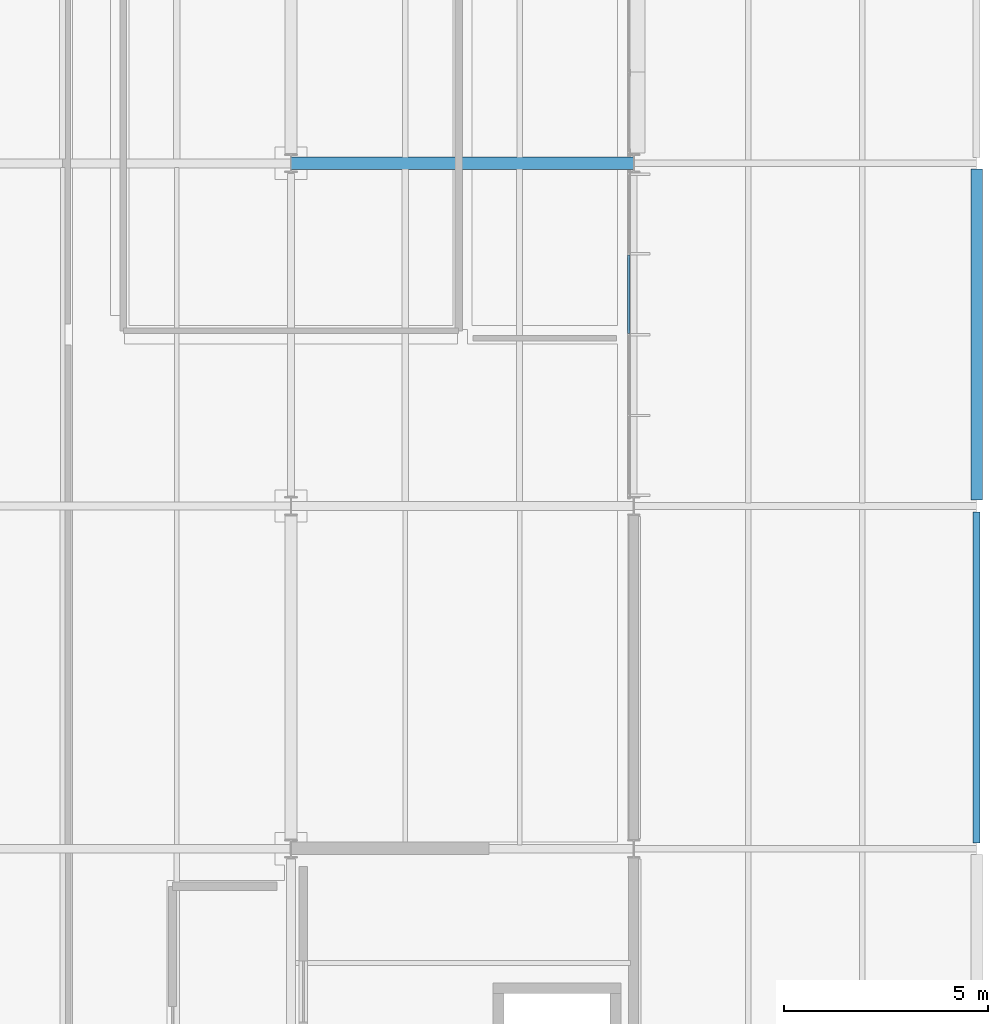
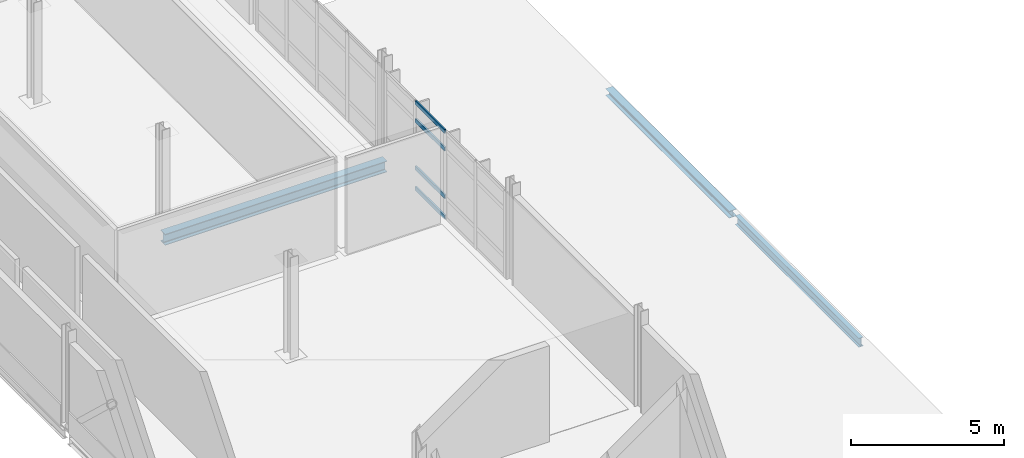
# One storey, part 96 of 151: 4 members, 3 beams, 1 element without a shape of its own.
"""IFC4 building model written with IfcOpenShell, lengths in metres."""

from ifc_helpers import new_model, si_unit, direction, frame, origin, origin_2d, place, context, subcontext, project, spatial, hollow_rectangle, i_section, extrude, material, material_profile, profile_set, type_object, element, aggregate, save


model = new_model("IFC4")

# Units and contexts
model_context = context("Model", 3, precision=1e-05, world=origin(), true_north=direction((0.0, 1.0)))
body_context = subcontext(model_context, "Body", "Model", "MODEL_VIEW")
ifc_project = project(units=[si_unit("LENGTHUNIT", "METRE"), si_unit("AREAUNIT", "SQUARE_METRE"), si_unit("VOLUMEUNIT", "CUBIC_METRE"), si_unit("PLANEANGLEUNIT", "RADIAN"), si_unit("MASSUNIT", "GRAM", prefix="KILO")], contexts=[model_context])

# Site, building, storey
site_placement = place(None, origin())
site = spatial("IfcSite", under=ifc_project, at=site_placement, CompositionType="ELEMENT")
building_placement = place(site_placement, origin())
building = spatial("IfcBuilding", under=site, at=building_placement, Name="Mersafa Astral City Hall", CompositionType="ELEMENT")
storey_placement = place(building_placement, frame((0.0, 0.0, 9.89990234375)))
storey = spatial("IfcBuildingStorey", under=building, at=storey_placement, Name="L02", CompositionType="ELEMENT", Elevation=9.89990234375)

# Curtain wall, members
ifc_material_1 = material(Name="Anodised bronze aluminium framing", Category="aluminium")
curtain_wall_type = type_object("IfcCurtainWallType", Name="ENV-CW-5", PredefinedType="USERDEFINED", material=ifc_material_1)
curtain_wall_placement = place(storey_placement, origin())
curtain_wall = element("IfcCurtainWall", 1, at=curtain_wall_placement, inside=storey, type_object=curtain_wall_type, Name="L02 Unitised solar curtain wall 124", ObjectType="UNITISED CURTAIN WALL", PredefinedType="USERDEFINED")
ifc_material_profile_1 = material_profile(ifc_material_1, hollow_rectangle(XDim=0.06005859375, YDim=0.159912109375, WallThickness=0.00390625, at=origin_2d()), Name="RHS 60x160x4")
ifc_profile_set_1 = profile_set([ifc_material_profile_1], Name="Anodised bronze aluminium framing")
member_type = type_object("IfcMemberType", Name="ENV-CW-TRN-2", PredefinedType="USERDEFINED", material=ifc_profile_set_1)
member_1_placement = place(storey_placement, frame((176.280029296875, 79.830078125, 0.028076171875), z_axis=(0.0, 1.0, 0.0), x_axis=(-1.0, 0.0, 0.0)))
member_1 = element("IfcMember", 2, at=member_1_placement, type_object=member_type, Name="CW-5 transom 3.1", ObjectType="TRANSOM", PredefinedType="USERDEFINED", context=body_context, shape_type="SweptSolid", body=[
    extrude(hollow_rectangle(XDim=0.06005859375, YDim=0.159912109375, WallThickness=0.00390625, at=origin_2d()), origin(), (0.0, 0.0, 1.0), 1.92138671875),
])
member_2_placement = place(storey_placement, frame((176.280029296875, 79.830078125, 0.85009765625), z_axis=(0.0, 1.0, 0.0), x_axis=(-1.0, 0.0, 0.0)))
member_2 = element("IfcMember", 3, at=member_2_placement, type_object=member_type, Name="CW-5 transom 3.2", ObjectType="TRANSOM", PredefinedType="USERDEFINED", context=body_context, shape_type="SweptSolid", body=[
    extrude(hollow_rectangle(XDim=0.06005859375, YDim=0.159912109375, WallThickness=0.00390625, at=origin_2d()), origin(), (0.0, 0.0, 1.0), 1.92138671875),
])
member_3_placement = place(storey_placement, frame((176.280029296875, 79.830078125, 2.75), z_axis=(0.0, 1.0, 0.0), x_axis=(-1.0, 0.0, 0.0)))
member_3 = element("IfcMember", 4, at=member_3_placement, type_object=member_type, Name="CW-5 transom 3.3", ObjectType="TRANSOM", PredefinedType="USERDEFINED", context=body_context, shape_type="SweptSolid", body=[
    extrude(hollow_rectangle(XDim=0.06005859375, YDim=0.159912109375, WallThickness=0.00390625, at=origin_2d()), origin(), (0.0, 0.0, 1.0), 1.92138671875),
])
member_4_placement = place(storey_placement, frame((176.280029296875, 79.830078125, 3.45703125), z_axis=(0.0, 1.0, 0.0), x_axis=(-1.0, 0.0, 0.0)))
member_4 = element("IfcMember", 5, at=member_4_placement, type_object=member_type, Name="CW-5 transom 3.4", ObjectType="TRANSOM", PredefinedType="USERDEFINED", context=body_context, shape_type="SweptSolid", body=[
    extrude(hollow_rectangle(XDim=0.06005859375, YDim=0.159912109375, WallThickness=0.00390625, at=origin_2d()), origin(), (0.0, 0.0, 1.0), 1.92138671875),
])
aggregate(curtain_wall, [member_1, member_2, member_3, member_4])

# Beams
ifc_material_2 = material(Name="Steel S355", Category="steel")
ifc_material_profile_2 = material_profile(ifc_material_2, i_section(OverallWidth=0.300048828125, OverallDepth=0.43994140625, WebThickness=0.011474609375, FlangeThickness=0.02099609375, FilletRadius=0.027099609375, at=origin_2d()), Name="HEA 450")
ifc_profile_set_2 = profile_set([ifc_material_profile_2], Name="Steel S355")
beam_type_1 = type_object("IfcBeamType", Name="STR-BM-HEA450", PredefinedType="BEAM", material=ifc_profile_set_2)
beam_1_placement = place(storey_placement, frame((168.0029296875, 84.0, -0.419921875), z_axis=(1.0, 0.0, 0.0), x_axis=(0.0, 1.0, 0.0)))
element("IfcBeam", 6, at=beam_1_placement, inside=storey, type_object=beam_type_1, Name="L02 Primary girder X 20-10", PredefinedType="BEAM", context=body_context, shape_type="SweptSolid", body=[
    extrude(i_section(OverallWidth=0.300048828125, OverallDepth=0.43994140625, WebThickness=0.011474609375, FlangeThickness=0.02099609375, FilletRadius=0.027099609375, at=origin_2d()), origin(), (0.0, 0.0, 1.0), 8.39404296875),
])
ifc_material_profile_3 = material_profile(ifc_material_2, i_section(OverallWidth=0.280029296875, OverallDepth=0.27001953125, WebThickness=0.008056640625, FlangeThickness=0.012939453125, FilletRadius=0.02392578125, at=origin_2d()), Name="HEA 280")
ifc_profile_set_3 = profile_set([ifc_material_profile_3], Name="Steel S355")
beam_type_2 = type_object("IfcBeamType", Name="STR-BM-SPANDREL-HEA280", PredefinedType="SPANDREL", material=ifc_profile_set_3)
beam_2_placement = place(storey_placement, frame((184.800048828125, 75.7451171875, -0.3349609375), z_axis=(0.0, 1.0, 0.0), x_axis=(-1.0, 0.0, 0.0)))
element("IfcBeam", 7, at=beam_2_placement, inside=storey, type_object=beam_type_2, Name="L02 Primary girder Y 22-9", PredefinedType="SPANDREL", context=body_context, shape_type="SweptSolid", body=[
    extrude(i_section(OverallWidth=0.280029296875, OverallDepth=0.27001953125, WebThickness=0.008056640625, FlangeThickness=0.012939453125, FilletRadius=0.02392578125, at=origin_2d()), origin(), (0.0, 0.0, 1.0), 8.10986328125),
])
ifc_material_profile_4 = material_profile(ifc_material_2, i_section(OverallWidth=0.169921875, OverallDepth=0.360107421875, WebThickness=0.008056640625, FlangeThickness=0.0126953125, FilletRadius=0.01806640625, at=origin_2d()), Name="IPE 360")
ifc_profile_set_4 = profile_set([ifc_material_profile_4], Name="Steel S355")
beam_type_3 = type_object("IfcBeamType", Name="STR-BM-SPANDREL-IPE360", PredefinedType="SPANDREL", material=ifc_profile_set_4)
beam_3_placement = place(storey_placement, frame((184.800048828125, 67.344970703125, -0.3798828125), z_axis=(0.0, 1.0, 0.0), x_axis=(-1.0, 0.0, 0.0)))
element("IfcBeam", 8, at=beam_3_placement, inside=storey, type_object=beam_type_3, Name="L02 Primary girder Y 22-8", PredefinedType="SPANDREL", context=body_context, shape_type="SweptSolid", body=[
    extrude(i_section(OverallWidth=0.169921875, OverallDepth=0.360107421875, WebThickness=0.008056640625, FlangeThickness=0.0126953125, FilletRadius=0.01806640625, at=origin_2d()), origin(), (0.0, 0.0, 1.0), 8.110107421875),
])

save(model, "model.ifc")
